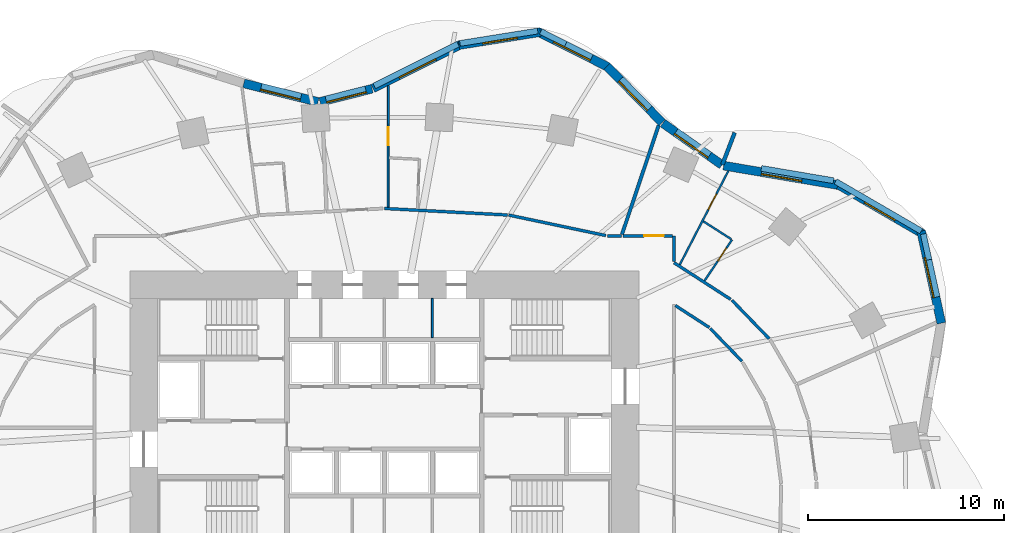
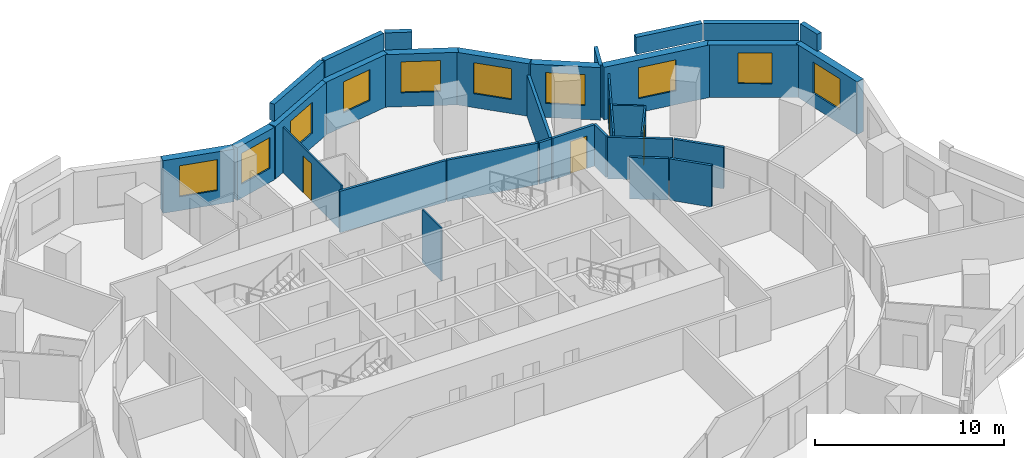
# One storey, part 9 of 11: 32 walls, 10 windows, 4 doors, 14 openings.
"""IFC4 building model written with IfcOpenShell, lengths in metres."""

from ifc_helpers import new_model, si_unit, direction, frame, frame_2d, origin, place, context, subcontext, project, spatial, rectangle, extrude, material, layer, layer_set, type_object, element, fill, save


model = new_model("IFC4")

# Units and contexts
model_context = context("Model", 3, precision=1e-05, world=origin(), true_north=direction((0.0, 1.0)))
body_context = subcontext(model_context, "Body", "Model", "MODEL_VIEW")
ifc_project = project(units=[si_unit("LENGTHUNIT", "METRE"), si_unit("AREAUNIT", "SQUARE_METRE"), si_unit("VOLUMEUNIT", "CUBIC_METRE"), si_unit("PLANEANGLEUNIT", "RADIAN"), si_unit("MASSUNIT", "GRAM", prefix="KILO")], contexts=[model_context])

# Site, building, storey
site_placement = place(None, origin())
site = spatial("IfcSite", under=ifc_project, at=site_placement, CompositionType="ELEMENT")
building_placement = place(site_placement, origin())
building = spatial("IfcBuilding", under=site, at=building_placement, Name="Rubra Terraces Tower", CompositionType="ELEMENT")
storey_placement = place(building_placement, frame((0.0, 0.0, 48.300048828125)))
storey = spatial("IfcBuildingStorey", under=building, at=storey_placement, Name="L09", CompositionType="ELEMENT", Elevation=48.300048828125)

# Wall
ifc_material_1 = material(Name="Twin plasterboard on staggered steel stud, acoustic mineral wool", Category="steel")
ifc_layer_1 = layer(ifc_material_1, 0.175048828125)
ifc_layer_set_1 = layer_set([ifc_layer_1], Name="Twin plasterboard on staggered steel stud, acoustic mineral wool")
wall_type_1 = type_object("IfcWallType", Name="ACOUSTIC PARTY WALL 175", PredefinedType="PARTITIONING", material=ifc_layer_set_1)
wall_1_placement = place(storey_placement, frame((14.014404296875, 19.44677734375, 0.0), z_axis=(0.0, 0.0, 1.0), x_axis=(-0.318853578383, -0.947803985828, 0.0)))
element("IfcWall", 1, at=wall_1_placement, inside=storey, type_object=wall_type_1, Name="PARTITION", PredefinedType="PARTITIONING", context=body_context, shape_type="SweptSolid", body=[
    extrude(rectangle(XDim=5.8828125, YDim=0.175048828125, at=frame_2d((2.94140625, 0.0))), origin(), (0.0, 0.0, 1.0), 2.679931640625),
])

# Wall, opening, window
ifc_material_2 = material(Name="Brick masonry red-brown", Category="masonry")
ifc_layer_2 = layer(ifc_material_2, 0.449951171875)
ifc_layer_set_2 = layer_set([ifc_layer_2], Name="Brick masonry red-brown")
wall_type_2 = type_object("IfcWallType", Name="Brick facade wall 450", PredefinedType="SOLIDWALL", material=ifc_layer_set_2)
wall_2_placement = place(storey_placement, frame((28.45556640625, 9.336669921875, 0.0), z_axis=(0.0, 0.0, 1.0), x_axis=(-0.213878425795, 0.976860286315, 0.0)))
wall_2 = element("IfcWall", 2, at=wall_2_placement, inside=storey, type_object=wall_type_2, Name="Facade wall L09 bay 3", PredefinedType="SOLIDWALL", context=body_context, shape_type="SweptSolid", body=[
    extrude(rectangle(XDim=4.8125, YDim=0.449951171875, at=frame_2d((2.40625, 0.0))), origin(), (0.0, 0.0, 1.0), 3.39990234375),
])
opening_1_placement = place(wall_2_placement, frame((1.356201171875, 0.0, 0.89990234375)))
opening_1 = element("IfcOpeningElement", 3, at=opening_1_placement, cuts=wall_2, Name="Opening W1", PredefinedType="OPENING", context=body_context, shape_type="SweptSolid", body=[
    extrude(rectangle(XDim=2.10009765625, YDim=2.0, at=frame_2d((1.050048828125, 1.0))), frame((0.0, 0.23486328125, 0.0), z_axis=(0.0, -1.0, 0.0), x_axis=(1.0, 0.0, 0.0)), (0.0, 0.0, 1.0), 0.469970703125),
])
ifc_material_3 = material(Name="Clear glass in aluminium frame", Category="aluminium")
window_type_1 = type_object("IfcWindowType", Name="Fixed deep-set window 2100 x 2000", PartitioningType="SINGLE_PANEL", PredefinedType="WINDOW", material=ifc_material_3)
window_1_placement = place(opening_1_placement, origin())
window_1 = element("IfcWindow", 4, at=window_1_placement, inside=storey, type_object=window_type_1, Name="Window L09 bay 3", OverallHeight=2.0, OverallWidth=2.10009765625, PartitioningType="SINGLE_PANEL", PredefinedType="WINDOW", context=body_context, shape_type="SweptSolid", body=[
    extrude(rectangle(XDim=2.10009765625, YDim=2.0, at=frame_2d((1.050048828125, 1.0))), frame((0.0, 0.135009765625, 0.0), z_axis=(0.0, -1.0, 0.0), x_axis=(1.0, 0.0, 0.0)), (0.0, 0.0, 1.0), 0.06005859375),
])
fill(opening_1, window_1)

wall_3_placement = place(storey_placement, frame((27.532958984375, 13.891357421875, 0.0), z_axis=(0.0, 0.0, 1.0), x_axis=(-0.864657614938, 0.502361631625, 0.0)))
wall_3 = element("IfcWall", 5, at=wall_3_placement, inside=storey, type_object=wall_type_2, Name="Facade wall L09 bay 4", PredefinedType="SOLIDWALL", context=body_context, shape_type="SweptSolid", body=[
    extrude(rectangle(XDim=5.000732421875, YDim=0.449951171875, at=frame_2d((2.50048828125, 0.0))), origin(), (0.0, 0.0, 1.0), 3.39990234375),
])
opening_2_placement = place(wall_3_placement, frame((1.600341796875, 0.0, 0.89990234375)))
opening_2 = element("IfcOpeningElement", 6, at=opening_2_placement, cuts=wall_3, Name="Opening W6", PredefinedType="OPENING", context=body_context, shape_type="SweptSolid", body=[
    extrude(rectangle(XDim=1.800048828125, YDim=2.0, at=frame_2d((0.89990234375, 1.0))), frame((0.0, 0.23486328125, 0.0), z_axis=(0.0, -1.0, 0.0), x_axis=(1.0, 0.0, 0.0)), (0.0, 0.0, 1.0), 0.469970703125),
])
window_type_2 = type_object("IfcWindowType", Name="Fixed deep-set window at wind fin 1800 x 2000", PartitioningType="SINGLE_PANEL", PredefinedType="WINDOW", material=ifc_material_3)
window_2_placement = place(opening_2_placement, origin())
window_2 = element("IfcWindow", 7, at=window_2_placement, inside=storey, type_object=window_type_2, Name="Window L09 bay 4", OverallHeight=2.0, OverallWidth=1.800048828125, PartitioningType="SINGLE_PANEL", PredefinedType="WINDOW", context=body_context, shape_type="SweptSolid", body=[
    extrude(rectangle(XDim=1.800048828125, YDim=2.0, at=frame_2d((0.89990234375, 1.0))), frame((0.0, 0.135009765625, 0.0), z_axis=(0.0, -1.0, 0.0), x_axis=(1.0, 0.0, 0.0)), (0.0, 0.0, 1.0), 0.06005859375),
])
fill(opening_2, window_2)

wall_4_placement = place(storey_placement, frame((23.2841796875, 16.376220703125, 0.0), z_axis=(0.0, 0.0, 1.0), x_axis=(-0.985861729428, 0.167560885797, 0.0)))
wall_4 = element("IfcWall", 8, at=wall_4_placement, inside=storey, type_object=wall_type_2, Name="Facade wall L09 bay 5", PredefinedType="SOLIDWALL", context=body_context, shape_type="SweptSolid", body=[
    extrude(rectangle(XDim=6.033447265625, YDim=0.449951171875, at=frame_2d((3.0166015625, 0.0))), origin(), (0.0, 0.0, 1.0), 3.39990234375),
])
opening_3_placement = place(wall_4_placement, frame((1.966796875, 0.0, 0.89990234375)))
opening_3 = element("IfcOpeningElement", 9, at=opening_3_placement, cuts=wall_4, Name="Opening W1", PredefinedType="OPENING", context=body_context, shape_type="SweptSolid", body=[
    extrude(rectangle(XDim=2.10009765625, YDim=2.0, at=frame_2d((1.050048828125, 1.0))), frame((0.0, 0.23486328125, 0.0), z_axis=(0.0, -1.0, 0.0), x_axis=(1.0, 0.0, 0.0)), (0.0, 0.0, 1.0), 0.469970703125),
])
window_3_placement = place(opening_3_placement, origin())
window_3 = element("IfcWindow", 10, at=window_3_placement, inside=storey, type_object=window_type_1, Name="Window L09 bay 5", OverallHeight=2.0, OverallWidth=2.10009765625, PartitioningType="SINGLE_PANEL", PredefinedType="WINDOW", context=body_context, shape_type="SweptSolid", body=[
    extrude(rectangle(XDim=2.10009765625, YDim=2.0, at=frame_2d((1.050048828125, 1.0))), frame((0.0, 0.135009765625, 0.0), z_axis=(0.0, -1.0, 0.0), x_axis=(1.0, 0.0, 0.0)), (0.0, 0.0, 1.0), 0.06005859375),
])
fill(opening_3, window_3)

wall_5_placement = place(storey_placement, frame((17.249267578125, 17.421875, 0.0), z_axis=(0.0, 0.0, 1.0), x_axis=(-0.816589291225, 0.577219134694, 0.0)))
wall_5 = element("IfcWall", 11, at=wall_5_placement, inside=storey, type_object=wall_type_2, Name="Facade wall L09 bay 6", PredefinedType="SOLIDWALL", context=body_context, shape_type="SweptSolid", body=[
    extrude(rectangle(XDim=3.701416015625, YDim=0.449951171875, at=frame_2d((1.8505859375, 0.0))), origin(), (0.0, 0.0, 1.0), 3.39990234375),
])
opening_4_placement = place(wall_5_placement, frame((0.80078125, 0.0, 0.89990234375)))
opening_4 = element("IfcOpeningElement", 12, at=opening_4_placement, cuts=wall_5, Name="Opening W1", PredefinedType="OPENING", context=body_context, shape_type="SweptSolid", body=[
    extrude(rectangle(XDim=2.10009765625, YDim=2.0, at=frame_2d((1.050048828125, 1.0))), frame((0.0, 0.23486328125, 0.0), z_axis=(0.0, -1.0, 0.0), x_axis=(1.0, 0.0, 0.0)), (0.0, 0.0, 1.0), 0.469970703125),
])
window_4_placement = place(opening_4_placement, origin())
window_4 = element("IfcWindow", 13, at=window_4_placement, inside=storey, type_object=window_type_1, Name="Window L09 bay 6", OverallHeight=2.0, OverallWidth=2.10009765625, PartitioningType="SINGLE_PANEL", PredefinedType="WINDOW", context=body_context, shape_type="SweptSolid", body=[
    extrude(rectangle(XDim=2.10009765625, YDim=2.0, at=frame_2d((1.050048828125, 1.0))), frame((0.0, 0.135009765625, 0.0), z_axis=(0.0, -1.0, 0.0), x_axis=(1.0, 0.0, 0.0)), (0.0, 0.0, 1.0), 0.06005859375),
])
fill(opening_4, window_4)

wall_6_placement = place(storey_placement, frame((14.194580078125, 19.584228515625, 0.0), z_axis=(0.0, 0.0, 1.0), x_axis=(-0.69962350521, 0.714511687068, 0.0)))
wall_6 = element("IfcWall", 14, at=wall_6_placement, inside=storey, type_object=wall_type_2, Name="Facade wall L09 bay 7", PredefinedType="SOLIDWALL", context=body_context, shape_type="SweptSolid", body=[
    extrude(rectangle(XDim=4.033935546875, YDim=0.449951171875, at=frame_2d((2.01708984375, 0.0))), origin(), (0.0, 0.0, 1.0), 3.39990234375),
])
opening_5_placement = place(wall_6_placement, frame((0.967041015625, 0.0, 0.89990234375)))
opening_5 = element("IfcOpeningElement", 15, at=opening_5_placement, cuts=wall_6, Name="Opening W1", PredefinedType="OPENING", context=body_context, shape_type="SweptSolid", body=[
    extrude(rectangle(XDim=2.10009765625, YDim=2.0, at=frame_2d((1.050048828125, 1.0))), frame((0.0, 0.23486328125, 0.0), z_axis=(0.0, -1.0, 0.0), x_axis=(1.0, 0.0, 0.0)), (0.0, 0.0, 1.0), 0.469970703125),
])
window_5_placement = place(opening_5_placement, origin())
window_5 = element("IfcWindow", 16, at=window_5_placement, inside=storey, type_object=window_type_1, Name="Window L09 bay 7", OverallHeight=2.0, OverallWidth=2.10009765625, PartitioningType="SINGLE_PANEL", PredefinedType="WINDOW", context=body_context, shape_type="SweptSolid", body=[
    extrude(rectangle(XDim=2.10009765625, YDim=2.0, at=frame_2d((1.050048828125, 1.0))), frame((0.0, 0.135009765625, 0.0), z_axis=(0.0, -1.0, 0.0), x_axis=(1.0, 0.0, 0.0)), (0.0, 0.0, 1.0), 0.06005859375),
])
fill(opening_5, window_5)

wall_7_placement = place(storey_placement, frame((11.427978515625, 22.427001953125, 0.0), z_axis=(0.0, 0.0, 1.0), x_axis=(-0.893343208735, 0.449375023122, 0.0)))
wall_7 = element("IfcWall", 17, at=wall_7_placement, inside=storey, type_object=wall_type_2, Name="Facade wall L09 bay 8", PredefinedType="SOLIDWALL", context=body_context, shape_type="SweptSolid", body=[
    extrude(rectangle(XDim=4.018798828125, YDim=0.449951171875, at=frame_2d((2.00927734375, 0.0))), origin(), (0.0, 0.0, 1.0), 3.39990234375),
])
opening_6_placement = place(wall_7_placement, frame((0.959228515625, 0.0, 0.89990234375)))
opening_6 = element("IfcOpeningElement", 18, at=opening_6_placement, cuts=wall_7, Name="Opening W1", PredefinedType="OPENING", context=body_context, shape_type="SweptSolid", body=[
    extrude(rectangle(XDim=2.10009765625, YDim=2.0, at=frame_2d((1.050048828125, 1.0))), frame((0.0, 0.23486328125, 0.0), z_axis=(0.0, -1.0, 0.0), x_axis=(1.0, 0.0, 0.0)), (0.0, 0.0, 1.0), 0.469970703125),
])
window_6_placement = place(opening_6_placement, origin())
window_6 = element("IfcWindow", 19, at=window_6_placement, inside=storey, type_object=window_type_1, Name="Window L09 bay 8", OverallHeight=2.0, OverallWidth=2.10009765625, PartitioningType="SINGLE_PANEL", PredefinedType="WINDOW", context=body_context, shape_type="SweptSolid", body=[
    extrude(rectangle(XDim=2.10009765625, YDim=2.0, at=frame_2d((1.050048828125, 1.0))), frame((0.0, 0.135009765625, 0.0), z_axis=(0.0, -1.0, 0.0), x_axis=(1.0, 0.0, 0.0)), (0.0, 0.0, 1.0), 0.06005859375),
])
fill(opening_6, window_6)

wall_8_placement = place(storey_placement, frame((7.974609375, 24.2119140625, 0.0), z_axis=(0.0, 0.0, 1.0), x_axis=(-0.987470607744, -0.157803038125, 0.0)))
wall_8 = element("IfcWall", 20, at=wall_8_placement, inside=storey, type_object=wall_type_2, Name="Facade wall L09 bay 9", PredefinedType="SOLIDWALL", context=body_context, shape_type="SweptSolid", body=[
    extrude(rectangle(XDim=4.2158203125, YDim=0.449951171875, at=frame_2d((2.10791015625, 0.0))), origin(), (0.0, 0.0, 1.0), 3.39990234375),
])
opening_7_placement = place(wall_8_placement, frame((1.2080078125, 0.0, 0.89990234375)))
opening_7 = element("IfcOpeningElement", 21, at=opening_7_placement, cuts=wall_8, Name="Opening W6", PredefinedType="OPENING", context=body_context, shape_type="SweptSolid", body=[
    extrude(rectangle(XDim=1.800048828125, YDim=2.0, at=frame_2d((0.89990234375, 1.0))), frame((0.0, 0.23486328125, 0.0), z_axis=(0.0, -1.0, 0.0), x_axis=(1.0, 0.0, 0.0)), (0.0, 0.0, 1.0), 0.469970703125),
])
window_7_placement = place(opening_7_placement, origin())
window_7 = element("IfcWindow", 22, at=window_7_placement, inside=storey, type_object=window_type_2, Name="Window L09 bay 9", OverallHeight=2.0, OverallWidth=1.800048828125, PartitioningType="SINGLE_PANEL", PredefinedType="WINDOW", context=body_context, shape_type="SweptSolid", body=[
    extrude(rectangle(XDim=1.800048828125, YDim=2.0, at=frame_2d((0.89990234375, 1.0))), frame((0.0, 0.135009765625, 0.0), z_axis=(0.0, -1.0, 0.0), x_axis=(1.0, 0.0, 0.0)), (0.0, 0.0, 1.0), 0.06005859375),
])
fill(opening_7, window_7)

wall_9_placement = place(storey_placement, frame((3.876708984375, 23.567626953125, 0.0), z_axis=(0.0, 0.0, 1.0), x_axis=(-0.894241088759, -0.447585606532, 0.0)))
wall_9 = element("IfcWall", 23, at=wall_9_placement, inside=storey, type_object=wall_type_2, Name="Facade wall L09 bay 10", PredefinedType="SOLIDWALL", context=body_context, shape_type="SweptSolid", body=[
    extrude(rectangle(XDim=4.987060546875, YDim=0.449951171875, at=frame_2d((2.49365234375, 0.0))), origin(), (0.0, 0.0, 1.0), 3.39990234375),
])
opening_8_placement = place(wall_9_placement, frame((1.443603515625, 0.0, 0.89990234375)))
opening_8 = element("IfcOpeningElement", 24, at=opening_8_placement, cuts=wall_9, Name="Opening W1", PredefinedType="OPENING", context=body_context, shape_type="SweptSolid", body=[
    extrude(rectangle(XDim=2.10009765625, YDim=2.0, at=frame_2d((1.050048828125, 1.0))), frame((0.0, 0.23486328125, 0.0), z_axis=(0.0, -1.0, 0.0), x_axis=(1.0, 0.0, 0.0)), (0.0, 0.0, 1.0), 0.469970703125),
])
window_8_placement = place(opening_8_placement, origin())
window_8 = element("IfcWindow", 25, at=window_8_placement, inside=storey, type_object=window_type_1, Name="Window L09 bay 10", OverallHeight=2.0, OverallWidth=2.10009765625, PartitioningType="SINGLE_PANEL", PredefinedType="WINDOW", context=body_context, shape_type="SweptSolid", body=[
    extrude(rectangle(XDim=2.10009765625, YDim=2.0, at=frame_2d((1.050048828125, 1.0))), frame((0.0, 0.135009765625, 0.0), z_axis=(0.0, -1.0, 0.0), x_axis=(1.0, 0.0, 0.0)), (0.0, 0.0, 1.0), 0.06005859375),
])
fill(opening_8, window_8)

wall_10_placement = place(storey_placement, frame((-0.62841796875, 21.318603515625, 0.0), z_axis=(0.0, 0.0, 1.0), x_axis=(-0.969240543873, -0.246115355295, 0.0)))
wall_10 = element("IfcWall", 26, at=wall_10_placement, inside=storey, type_object=wall_type_2, Name="Facade wall L09 bay 11", PredefinedType="SOLIDWALL", context=body_context, shape_type="SweptSolid", body=[
    extrude(rectangle(XDim=2.742919921875, YDim=0.449951171875, at=frame_2d((1.37158203125, 0.0))), origin(), (0.0, 0.0, 1.0), 3.39990234375),
])
opening_9_placement = place(wall_10_placement, frame((0.3212890625, 0.0, 0.89990234375)))
opening_9 = element("IfcOpeningElement", 27, at=opening_9_placement, cuts=wall_10, Name="Opening W1", PredefinedType="OPENING", context=body_context, shape_type="SweptSolid", body=[
    extrude(rectangle(XDim=2.10009765625, YDim=2.0, at=frame_2d((1.050048828125, 1.0))), frame((0.0, 0.23486328125, 0.0), z_axis=(0.0, -1.0, 0.0), x_axis=(1.0, 0.0, 0.0)), (0.0, 0.0, 1.0), 0.469970703125),
])
window_9_placement = place(opening_9_placement, origin())
window_9 = element("IfcWindow", 28, at=window_9_placement, inside=storey, type_object=window_type_1, Name="Window L09 bay 11", OverallHeight=2.0, OverallWidth=2.10009765625, PartitioningType="SINGLE_PANEL", PredefinedType="WINDOW", context=body_context, shape_type="SweptSolid", body=[
    extrude(rectangle(XDim=2.10009765625, YDim=2.0, at=frame_2d((1.050048828125, 1.0))), frame((0.0, 0.135009765625, 0.0), z_axis=(0.0, -1.0, 0.0), x_axis=(1.0, 0.0, 0.0)), (0.0, 0.0, 1.0), 0.06005859375),
])
fill(opening_9, window_9)

wall_11_placement = place(storey_placement, frame((-3.39208984375, 20.64208984375, 0.0), z_axis=(0.0, 0.0, 1.0), x_axis=(-0.970168229467, 0.242432684539, 0.0)))
wall_11 = element("IfcWall", 29, at=wall_11_placement, inside=storey, type_object=wall_type_2, Name="Facade wall L09 bay 12", PredefinedType="SOLIDWALL", context=body_context, shape_type="SweptSolid", body=[
    extrude(rectangle(XDim=3.90625, YDim=0.449951171875, at=frame_2d((1.953125, 0.0))), origin(), (0.0, 0.0, 1.0), 3.39990234375),
])
opening_10_placement = place(wall_11_placement, frame((0.9033203125, 0.0, 0.89990234375)))
opening_10 = element("IfcOpeningElement", 30, at=opening_10_placement, cuts=wall_11, Name="Opening W1", PredefinedType="OPENING", context=body_context, shape_type="SweptSolid", body=[
    extrude(rectangle(XDim=2.10009765625, YDim=2.0, at=frame_2d((1.050048828125, 1.0))), frame((0.0, 0.23486328125, 0.0), z_axis=(0.0, -1.0, 0.0), x_axis=(1.0, 0.0, 0.0)), (0.0, 0.0, 1.0), 0.469970703125),
])
window_10_placement = place(opening_10_placement, origin())
window_10 = element("IfcWindow", 31, at=window_10_placement, inside=storey, type_object=window_type_1, Name="Window L09 bay 12", OverallHeight=2.0, OverallWidth=2.10009765625, PartitioningType="SINGLE_PANEL", PredefinedType="WINDOW", context=body_context, shape_type="SweptSolid", body=[
    extrude(rectangle(XDim=2.10009765625, YDim=2.0, at=frame_2d((1.050048828125, 1.0))), frame((0.0, 0.135009765625, 0.0), z_axis=(0.0, -1.0, 0.0), x_axis=(1.0, 0.0, 0.0)), (0.0, 0.0, 1.0), 0.06005859375),
])
fill(opening_10, window_10)

# Walls
ifc_layer_3 = layer(ifc_material_2, 0.300048828125)
ifc_layer_set_3 = layer_set([ifc_layer_3], Name="Brick masonry red-brown")
wall_type_3 = type_object("IfcWallType", Name="Brick parapet 300", PredefinedType="PARAPET", material=ifc_layer_set_3)
wall_12_placement = place(storey_placement, frame((27.82275390625, 12.577392578125, 3.599853515625), z_axis=(0.0, 0.0, 1.0), x_axis=(-0.213826357694, 0.976871684898, 0.0)))
element("IfcWall", 32, at=wall_12_placement, inside=storey, type_object=wall_type_3, Name="Parapet L09 bay 3", PredefinedType="PARAPET", context=body_context, shape_type="SweptSolid", body=[
    extrude(rectangle(XDim=1.349609375, YDim=0.300048828125, at=frame_2d((0.6748046875, 0.0))), origin(), (0.0, 0.0, 1.0), 1.10009765625),
])
wall_13_placement = place(storey_placement, frame((27.4306640625, 14.03759765625, 3.599853515625), z_axis=(0.0, 0.0, 1.0), x_axis=(-0.864664590165, 0.502349625773, 0.0)))
element("IfcWall", 33, at=wall_13_placement, inside=storey, type_object=wall_type_3, Name="Parapet L09 bay 4", PredefinedType="PARAPET", context=body_context, shape_type="SweptSolid", body=[
    extrude(rectangle(XDim=5.061279296875, YDim=0.300048828125, at=frame_2d((2.53076171875, 0.0))), origin(), (0.0, 0.0, 1.0), 1.10009765625),
])
wall_14_placement = place(storey_placement, frame((22.94873046875, 16.6181640625, 3.599853515625), z_axis=(0.0, 0.0, 1.0), x_axis=(-0.985859727788, 0.167572662229, 0.0)))
element("IfcWall", 34, at=wall_14_placement, inside=storey, type_object=wall_type_3, Name="Parapet L09 bay 5", PredefinedType="PARAPET", context=body_context, shape_type="SweptSolid", body=[
    extrude(rectangle(XDim=3.741455078125, YDim=0.300048828125, at=frame_2d((1.87060546875, 0.0))), origin(), (0.0, 0.0, 1.0), 1.10009765625),
])
wall_15_placement = place(storey_placement, frame((9.26708984375, 23.597900390625, 3.599853515625), z_axis=(0.0, 0.0, 1.0), x_axis=(-0.893335936782, 0.449389479242, 0.0)))
element("IfcWall", 35, at=wall_15_placement, inside=storey, type_object=wall_type_3, Name="Parapet L09 bay 8", PredefinedType="PARAPET", context=body_context, shape_type="SweptSolid", body=[
    extrude(rectangle(XDim=1.435302734375, YDim=0.300048828125, at=frame_2d((0.7177734375, 0.0))), origin(), (0.0, 0.0, 1.0), 1.10009765625),
])
wall_16_placement = place(storey_placement, frame((7.83740234375, 24.265869140625, 3.599853515625), z_axis=(0.0, 0.0, 1.0), x_axis=(-0.987476564543, -0.157765758254, 0.0)))
element("IfcWall", 36, at=wall_16_placement, inside=storey, type_object=wall_type_3, Name="Parapet L09 bay 9", PredefinedType="PARAPET", context=body_context, shape_type="SweptSolid", body=[
    extrude(rectangle(XDim=4.02490234375, YDim=0.300048828125, at=frame_2d((2.012451171875, 0.0))), origin(), (0.0, 0.0, 1.0), 1.10009765625),
])
wall_17_placement = place(storey_placement, frame((3.762939453125, 23.5986328125, 3.599853515625), z_axis=(0.0, 0.0, 1.0), x_axis=(-0.894243576514, -0.447580636158, 0.0)))
element("IfcWall", 37, at=wall_17_placement, inside=storey, type_object=wall_type_3, Name="Parapet L09 bay 10", PredefinedType="PARAPET", context=body_context, shape_type="SweptSolid", body=[
    extrude(rectangle(XDim=4.78857421875, YDim=0.300048828125, at=frame_2d((2.394287109375, 0.0))), origin(), (0.0, 0.0, 1.0), 1.10009765625),
])
ifc_layer_4 = layer(ifc_material_2, 0.199951171875)
ifc_layer_set_4 = layer_set([ifc_layer_4], Name="Brick masonry red-brown")
wall_type_4 = type_object("IfcWallType", Name="Brick wind fin 200", PredefinedType="SOLIDWALL", material=ifc_layer_set_4)
wall_18_placement = place(storey_placement, frame((17.26904296875, 17.43994140625, 0.0), z_axis=(0.0, 0.0, 1.0), x_axis=(0.359381039836, 0.933190906624, 0.0)))
element("IfcWall", 38, at=wall_18_placement, inside=storey, type_object=wall_type_4, Name="Wind fin L09 4", PredefinedType="SOLIDWALL", context=body_context, shape_type="SweptSolid", body=[
    extrude(rectangle(XDim=1.75, YDim=0.199951171875, at=frame_2d((0.875, 0.0))), origin(), (0.0, 0.0, 1.0), 3.39990234375),
])
ifc_material_4 = material(Name="Plasterboard on steel stud, mineral wool infill", Category="steel")
ifc_layer_5 = layer(ifc_material_4, 0.14990234375)
ifc_layer_set_5 = layer_set([ifc_layer_5], Name="Plasterboard on steel stud, mineral wool infill")
wall_type_5 = type_object("IfcWallType", Name="CORRIDOR PARTITION 150", PredefinedType="PARTITIONING", material=ifc_layer_set_5)
wall_19_placement = place(storey_placement, frame((12.11474609375, 13.800048828125, 0.0), z_axis=(0.0, 0.0, 1.0), x_axis=(-1.0, 0.0, 0.0)))
element("IfcWall", 39, at=wall_19_placement, inside=storey, type_object=wall_type_5, Name="PARTITION", PredefinedType="PARTITIONING", context=body_context, shape_type="SweptSolid", body=[
    extrude(rectangle(XDim=0.725341796875, YDim=0.14990234375, at=frame_2d((0.36279296875, 0.0))), origin(), (0.0, 0.0, 1.0), 2.679931640625),
])
wall_20_placement = place(storey_placement, frame((11.31591796875, 13.8154296875, 0.0), z_axis=(0.0, 0.0, 1.0), x_axis=(-0.978460774853, 0.206432827025, 0.0)))
element("IfcWall", 40, at=wall_20_placement, inside=storey, type_object=wall_type_5, Name="PARTITION", PredefinedType="PARTITIONING", context=body_context, shape_type="SweptSolid", body=[
    extrude(rectangle(XDim=5.06884765625, YDim=0.14990234375, at=frame_2d((2.534423828125, 0.0))), origin(), (0.0, 0.0, 1.0), 2.679931640625),
])
wall_21_placement = place(storey_placement, frame((6.281494140625, 14.86572265625, 0.0), z_axis=(0.0, 0.0, 1.0), x_axis=(-0.998587429539, 0.053133281163, 0.0)))
element("IfcWall", 41, at=wall_21_placement, inside=storey, type_object=wall_type_5, Name="PARTITION", PredefinedType="PARTITIONING", context=body_context, shape_type="SweptSolid", body=[
    extrude(rectangle(XDim=6.290283203125, YDim=0.14990234375, at=frame_2d((3.14501953125, 0.0))), origin(), (0.0, 0.0, 1.0), 2.679931640625),
])
wall_22_placement = place(storey_placement, frame((19.662841796875, 8.5419921875, 0.0), z_axis=(0.0, 0.0, 1.0), x_axis=(-0.695225869021, 0.718791340407, 0.0)))
element("IfcWall", 42, at=wall_22_placement, inside=storey, type_object=wall_type_5, Name="PARTITION", PredefinedType="PARTITIONING", context=body_context, shape_type="SweptSolid", body=[
    extrude(rectangle(XDim=2.745361328125, YDim=0.14990234375, at=frame_2d((1.37255859375, 0.0))), origin(), (0.0, 0.0, 1.0), 2.679931640625),
])
wall_23_placement = place(storey_placement, frame((17.691162109375, 10.55615234375, 0.0), z_axis=(0.0, 0.0, 1.0), x_axis=(-0.839564450265, 0.54326009779, 0.0)))
element("IfcWall", 43, at=wall_23_placement, inside=storey, type_object=wall_type_5, Name="PARTITION", PredefinedType="PARTITIONING", context=body_context, shape_type="SweptSolid", body=[
    extrude(rectangle(XDim=3.443359375, YDim=0.14990234375, at=frame_2d((1.7216796875, 0.0))), origin(), (0.0, 0.0, 1.0), 2.679931640625),
])
wall_24_placement = place(storey_placement, frame((14.80029296875, 12.501708984375, 0.0), z_axis=(0.0, 0.0, 1.0), x_axis=(-0.000188040613, 0.99999998232, 0.0)))
element("IfcWall", 44, at=wall_24_placement, inside=storey, type_object=wall_type_5, Name="PARTITION", PredefinedType="PARTITIONING", context=body_context, shape_type="SweptSolid", body=[
    extrude(rectangle(XDim=1.29833984375, YDim=0.14990234375, at=frame_2d((0.649169921875, 0.0))), origin(), (0.0, 0.0, 1.0), 2.679931640625),
])

# Wall, opening, door
wall_25_placement = place(storey_placement, frame((14.72509765625, 13.800048828125, 0.0), z_axis=(0.0, 0.0, 1.0), x_axis=(-1.0, 0.0, 0.0)))
wall_25 = element("IfcWall", 45, at=wall_25_placement, inside=storey, type_object=wall_type_5, Name="PARTITION", PredefinedType="PARTITIONING", context=body_context, shape_type="SweptSolid", body=[
    extrude(rectangle(XDim=2.535400390625, YDim=0.14990234375, at=frame_2d((1.267578125, 0.0))), origin(), (0.0, 0.0, 1.0), 2.679931640625),
])
opening_11_placement = place(wall_25_placement, frame((0.449951171875, 0.0, 0.0)))
opening_11 = element("IfcOpeningElement", 46, at=opening_11_placement, cuts=wall_25, Name="Opening 09-129", PredefinedType="OPENING", context=body_context, shape_type="SweptSolid", body=[
    extrude(rectangle(XDim=1.0, YDim=2.10009765625, at=frame_2d((0.5, 1.050048828125))), frame((0.0, 0.0849609375, 0.0), z_axis=(0.0, -1.0, 0.0), x_axis=(1.0, 0.0, 0.0)), (0.0, 0.0, 1.0), 0.169921875),
])
ifc_material_5 = material(Name="Painted timber door leaf", Category="wood")
door_type_1 = type_object("IfcDoorType", Name="ROOM DOOR 1000 X 2100", OperationType="SINGLE_SWING_LEFT", PredefinedType="DOOR", material=ifc_material_5)
door_1_placement = place(opening_11_placement, origin())
door_1 = element("IfcDoor", 47, at=door_1_placement, inside=storey, type_object=door_type_1, Name="DOOR 09-129", OperationType="SINGLE_SWING_RIGHT", OverallHeight=2.10009765625, OverallWidth=1.0, PredefinedType="DOOR", context=body_context, shape_type="SweptSolid", body=[
    extrude(rectangle(XDim=1.0, YDim=2.10009765625, at=frame_2d((0.5, 1.050048828125))), frame((0.0, 0.02490234375, 0.0), z_axis=(0.0, -1.0, 0.0), x_axis=(1.0, 0.0, 0.0)), (0.0, 0.0, 1.0), 0.050048828125),
])
fill(opening_11, door_1)

# Walls
wall_26_placement = place(storey_placement, frame((14.863037109375, 10.242431640625, 0.0), z_axis=(0.0, 0.0, 1.0), x_axis=(0.839563837869, -0.543261044198, 0.0)))
element("IfcWall", 48, at=wall_26_placement, inside=storey, type_object=wall_type_5, Name="PARTITION", PredefinedType="PARTITIONING", context=body_context, shape_type="SweptSolid", body=[
    extrude(rectangle(XDim=2.072998046875, YDim=0.14990234375, at=frame_2d((1.03662109375, 0.0))), origin(), (0.0, 0.0, 1.0), 2.679931640625),
])
wall_27_placement = place(storey_placement, frame((16.655517578125, 9.062255859375, 0.0), z_axis=(0.0, 0.0, 1.0), x_axis=(0.695225115827, -0.718792068906, 0.0)))
element("IfcWall", 49, at=wall_27_placement, inside=storey, type_object=wall_type_5, Name="PARTITION", PredefinedType="PARTITIONING", context=body_context, shape_type="SweptSolid", body=[
    extrude(rectangle(XDim=2.320556640625, YDim=0.14990234375, at=frame_2d((1.16015625, 0.0))), origin(), (0.0, 0.0, 1.0), 2.679931640625),
])

# Wall, opening, door
ifc_material_6 = material(Name="Plasterboard on steel stud", Category="steel")
ifc_layer_6 = layer(ifc_material_6, 0.10009765625)
ifc_layer_set_6 = layer_set([ifc_layer_6], Name="Plasterboard on steel stud")
wall_type_6 = type_object("IfcWallType", Name="ROOM PARTITION 100", PredefinedType="PARTITIONING", material=ifc_layer_set_6)
wall_28_placement = place(storey_placement, frame((0.202880859375, 21.472900390625, 0.0), z_axis=(0.0, 0.0, 1.0), x_axis=(-0.002044985499, -0.999997909015, 0.0)))
wall_28 = element("IfcWall", 50, at=wall_28_placement, inside=storey, type_object=wall_type_6, Name="PARTITION", PredefinedType="PARTITIONING", context=body_context, shape_type="SweptSolid", body=[
    extrude(rectangle(XDim=6.2080078125, YDim=0.10009765625, at=frame_2d((3.10400390625, 0.0))), origin(), (0.0, 0.0, 1.0), 2.933837890625),
])
opening_12_placement = place(wall_28_placement, frame((2.133056640625, 0.0, 0.0)))
opening_12 = element("IfcOpeningElement", 51, at=opening_12_placement, cuts=wall_28, Name="Opening 09-102", PredefinedType="OPENING", context=body_context, shape_type="SweptSolid", body=[
    extrude(rectangle(XDim=0.89990234375, YDim=2.39990234375, at=frame_2d((0.449951171875, 1.199951171875))), frame((0.0, 0.06005859375, 0.0), z_axis=(0.0, -1.0, 0.0), x_axis=(1.0, 0.0, 0.0)), (0.0, 0.0, 1.0), 0.1201171875),
])
ifc_material_7 = material(Name="Veneered timber door leaf, fire-rated", Category="wood")
door_type_2 = type_object("IfcDoorType", Name="SUITE ENTRANCE DOOR 900 X 2400", OperationType="SINGLE_SWING_LEFT", PredefinedType="DOOR", material=ifc_material_7)
door_2_placement = place(opening_12_placement, origin())
door_2 = element("IfcDoor", 52, at=door_2_placement, inside=storey, type_object=door_type_2, Name="DOOR 09-102", OperationType="SINGLE_SWING_LEFT", OverallHeight=2.39990234375, OverallWidth=0.89990234375, PredefinedType="DOOR", context=body_context, shape_type="SweptSolid", body=[
    extrude(rectangle(XDim=0.89990234375, YDim=2.39990234375, at=frame_2d((0.449951171875, 1.199951171875))), frame((0.0, 0.02490234375, 0.0), z_axis=(0.0, -1.0, 0.0), x_axis=(1.0, 0.0, 0.0)), (0.0, 0.0, 1.0), 0.050048828125),
])
fill(opening_12, door_2)

wall_29_placement = place(storey_placement, frame((17.57470703125, 17.118408203125, 0.0), z_axis=(0.0, 0.0, 1.0), x_axis=(-0.459763790059, -0.88804124755, 0.0)))
wall_29 = element("IfcWall", 53, at=wall_29_placement, inside=storey, type_object=wall_type_6, Name="PARTITION", PredefinedType="PARTITIONING", context=body_context, shape_type="SweptSolid", body=[
    extrude(rectangle(XDim=5.396728515625, YDim=0.10009765625, at=frame_2d((2.6982421875, 0.0))), origin(), (0.0, 0.0, 1.0), 2.933837890625),
])
opening_13_placement = place(wall_29_placement, frame((1.322021484375, 0.0, 0.0)))
opening_13 = element("IfcOpeningElement", 54, at=opening_13_placement, cuts=wall_29, Name="Opening 09-128", PredefinedType="OPENING", context=body_context, shape_type="SweptSolid", body=[
    extrude(rectangle(XDim=0.89990234375, YDim=2.39990234375, at=frame_2d((0.449951171875, 1.199951171875))), frame((0.0, 0.06005859375, 0.0), z_axis=(0.0, -1.0, 0.0), x_axis=(1.0, 0.0, 0.0)), (0.0, 0.0, 1.0), 0.1201171875),
])
door_3_placement = place(opening_13_placement, origin())
door_3 = element("IfcDoor", 55, at=door_3_placement, inside=storey, type_object=door_type_2, Name="DOOR 09-128", OperationType="SINGLE_SWING_LEFT", OverallHeight=2.39990234375, OverallWidth=0.89990234375, PredefinedType="DOOR", context=body_context, shape_type="SweptSolid", body=[
    extrude(rectangle(XDim=0.89990234375, YDim=2.39990234375, at=frame_2d((0.449951171875, 1.199951171875))), frame((0.0, 0.02490234375, 0.0), z_axis=(0.0, -1.0, 0.0), x_axis=(1.0, 0.0, 0.0)), (0.0, 0.0, 1.0), 0.050048828125),
])
fill(opening_13, door_3)

wall_30_placement = place(storey_placement, frame((16.360107421875, 11.5068359375, 0.0), z_axis=(0.0, 0.0, 1.0), x_axis=(0.556060542822, 0.831141788576, 0.0)))
wall_30 = element("IfcWall", 56, at=wall_30_placement, inside=storey, type_object=wall_type_6, Name="PARTITION", PredefinedType="PARTITIONING", context=body_context, shape_type="SweptSolid", body=[
    extrude(rectangle(XDim=2.52490234375, YDim=0.10009765625, at=frame_2d((1.262451171875, 0.0))), origin(), (0.0, 0.0, 1.0), 2.933837890625),
])
opening_14_placement = place(wall_30_placement, frame((1.199951171875, 0.0, 0.0)))
opening_14 = element("IfcOpeningElement", 57, at=opening_14_placement, cuts=wall_30, Name="Opening 09-127", PredefinedType="OPENING", context=body_context, shape_type="SweptSolid", body=[
    extrude(rectangle(XDim=0.800048828125, YDim=2.10009765625, at=frame_2d((0.39990234375, 1.050048828125))), frame((0.0, 0.06005859375, 0.0), z_axis=(0.0, -1.0, 0.0), x_axis=(1.0, 0.0, 0.0)), (0.0, 0.0, 1.0), 0.1201171875),
])
door_type_3 = type_object("IfcDoorType", Name="BATHROOM DOOR 800 X 2100", OperationType="SINGLE_SWING_LEFT", PredefinedType="DOOR", material=ifc_material_5)
door_4_placement = place(opening_14_placement, origin())
door_4 = element("IfcDoor", 58, at=door_4_placement, inside=storey, type_object=door_type_3, Name="DOOR 09-127", OperationType="SINGLE_SWING_LEFT", OverallHeight=2.10009765625, OverallWidth=0.800048828125, PredefinedType="DOOR", context=body_context, shape_type="SweptSolid", body=[
    extrude(rectangle(XDim=0.800048828125, YDim=2.10009765625, at=frame_2d((0.39990234375, 1.050048828125))), frame((0.0, 0.02490234375, 0.0), z_axis=(0.0, -1.0, 0.0), x_axis=(1.0, 0.0, 0.0)), (0.0, 0.0, 1.0), 0.050048828125),
])
fill(opening_14, door_4)

# Walls
wall_31_placement = place(storey_placement, frame((17.721923828125, 13.63232421875, 0.0), z_axis=(0.0, 0.0, 1.0), x_axis=(-0.843078245163, 0.537790918977, 0.0)))
element("IfcWall", 59, at=wall_31_placement, inside=storey, type_object=wall_type_6, Name="PARTITION", PredefinedType="PARTITIONING", context=body_context, shape_type="SweptSolid", body=[
    extrude(rectangle(XDim=1.690673828125, YDim=0.10009765625, at=frame_2d((0.84521484375, 0.0))), origin(), (0.0, 0.0, 1.0), 2.933837890625),
])
ifc_material_8 = material(Name="Blockwork", Category="masonry")
ifc_layer_7 = layer(ifc_material_8, 0.10009765625)
ifc_layer_set_7 = layer_set([ifc_layer_7], Name="Blockwork")
wall_type_7 = type_object("IfcWallType", Name="Service partition 100 blockwork", PredefinedType="PARTITIONING", material=ifc_layer_set_7)
wall_32_placement = place(storey_placement, frame((2.449951171875, 8.60009765625, 0.0), z_axis=(0.0, 0.0, 1.0), x_axis=(0.0, 1.0, 0.0)))
element("IfcWall", 60, at=wall_32_placement, inside=storey, type_object=wall_type_7, Name="SERVICE ROOM PARTITION L09", PredefinedType="PARTITIONING", context=body_context, shape_type="SweptSolid", body=[
    extrude(rectangle(XDim=2.0, YDim=0.10009765625, at=frame_2d((1.0, 0.0))), origin(), (0.0, 0.0, 1.0), 3.39990234375),
])

save(model, "model.ifc")
